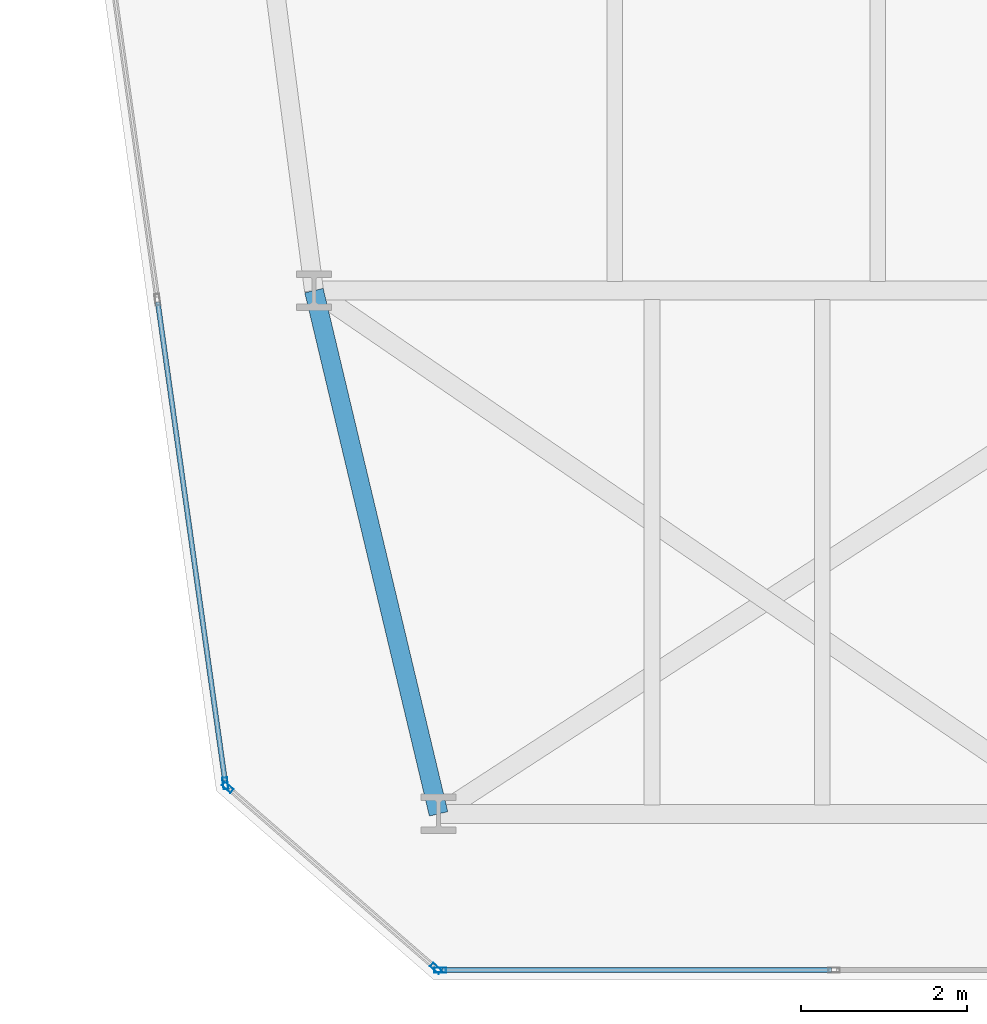
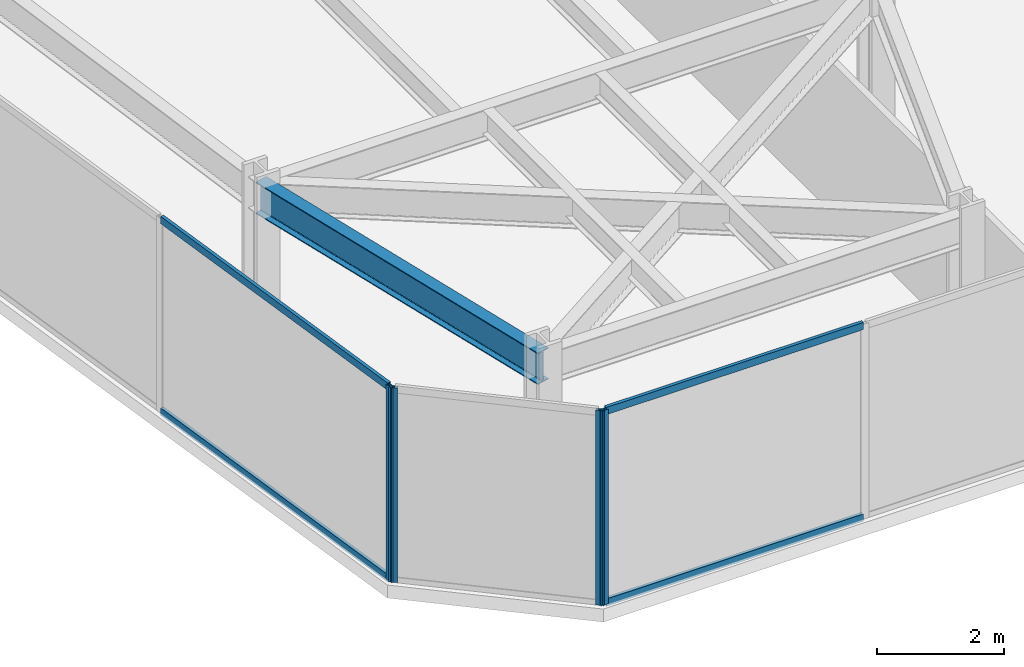
# One storey, part 2 of 26: 8 members, 1 beam, 3 elements without a shape of their own.
"""IFC4 building model written with IfcOpenShell, lengths in metres."""

import ifcopenshell
import ifcopenshell.guid

model = None  # the IFC model being written
_history = None  # IfcOwnerHistory: only IFC2X3 demands one
_inside = {}  # id of a spatial element -> (the spatial element, [elements in it])
_under = {}  # id of a project, library or spatial element -> (it, [spatial elements below it])
_declared = {}  # id of a project -> (the project, [libraries it declares])
_typed = {}  # id of a type object -> (the type object, [elements of that type])
_made_of = {}  # id of a material, layer set ... -> (it, [elements and type objects made of it])


def new_model(schema):
    """Start an empty IFC model of exactly this schema.

    Asked for "IFC4X3", IfcOpenShell would pick the latest addendum, in which some entities
    have other attributes; the version numbers below select the first issue.
    IFC2X3 requires an IfcOwnerHistory on every rooted entity: one is made here for all.
    """
    global model, _history
    if schema == "IFC4X3":
        model = ifcopenshell.file(schema_version=(4, 3, 0, 0))
    else:
        model = ifcopenshell.file(schema=schema)
    _inside.clear()
    _under.clear()
    _declared.clear()
    _typed.clear()
    _made_of.clear()
    _history = None
    if model.schema == "IFC2X3":
        org = make("IfcOrganization", Name="unknown")
        user = make(
            "IfcPersonAndOrganization",
            ThePerson=make("IfcPerson", FamilyName="unknown"),
            TheOrganization=org,
        )
        app = make(
            "IfcApplication",
            ApplicationDeveloper=org,
            Version="unknown",
            ApplicationFullName="unknown",
            ApplicationIdentifier="unknown",
        )
        _history = make(
            "IfcOwnerHistory",
            OwningUser=user,
            OwningApplication=app,
            ChangeAction="ADDED",
            CreationDate=0,
        )
    return model


def make(cls, **values):
    """One entity of the class cls with the attributes given. An attribute that is None is left unset."""
    return model.create_entity(
        cls, **{name: value for name, value in values.items() if value is not None}
    )


def rooted(cls, **values):
    """An entity with a GlobalId (a new one), such as an element, a storey or a relation."""
    return make(cls, GlobalId=ifcopenshell.guid.new(), OwnerHistory=_history, **values)


def si_unit(unit_type, name, prefix=None):
    """IfcSIUnit, for example si_unit("LENGTHUNIT", "METRE", prefix="MILLI")."""
    return make("IfcSIUnit", UnitType=unit_type, Prefix=prefix, Name=name)


def assignment(units):
    """IfcUnitAssignment: the units of a project."""
    return None if units is None else make("IfcUnitAssignment", Units=units)


def point(xyz):
    """IfcCartesianPoint."""
    return None if xyz is None else make("IfcCartesianPoint", Coordinates=xyz)


def direction(xyz):
    """IfcDirection."""
    return None if xyz is None else make("IfcDirection", DirectionRatios=xyz)


def frame(location, z_axis=None, x_axis=None):
    """IfcAxis2Placement3D, a coordinate frame: its origin and axes. An axis left out is left unset."""
    return make(
        "IfcAxis2Placement3D",
        Location=point(location),
        Axis=direction(z_axis),
        RefDirection=direction(x_axis),
    )


def frame_2d(location, x_axis=None):
    """IfcAxis2Placement2D, a coordinate frame in the plane: its origin and x axis."""
    return make(
        "IfcAxis2Placement2D", Location=point(location), RefDirection=direction(x_axis)
    )


def origin():
    """The frame at (0, 0, 0) with its axes left unset."""
    return frame((0.0, 0.0, 0.0))


def origin_2d():
    """The frame at (0, 0) in the plane with its x axis left unset."""
    return frame_2d((0.0, 0.0))


def place(relative_to, where):
    """IfcLocalPlacement: puts the frame where relative to a parent placement (None: the world)."""
    return make(
        "IfcLocalPlacement", PlacementRelTo=relative_to, RelativePlacement=where
    )


def context(
    kind, dimensions, precision=None, world=None, true_north=None, identifier=None
):
    """IfcGeometricRepresentationContext, for example the 3D "Model" context."""
    return make(
        "IfcGeometricRepresentationContext",
        ContextIdentifier=identifier,
        ContextType=kind,
        CoordinateSpaceDimension=dimensions,
        Precision=precision,
        WorldCoordinateSystem=world,
        TrueNorth=true_north,
    )


def subcontext(parent, identifier, kind, view, scale=None):
    """IfcGeometricRepresentationSubContext, for example "Body" below "Model"."""
    return make(
        "IfcGeometricRepresentationSubContext",
        ContextIdentifier=identifier,
        ContextType=kind,
        ParentContext=parent,
        TargetScale=scale,
        TargetView=view,
    )


def project(units=None, contexts=None):
    """IfcProject with its units and contexts."""
    return rooted(
        "IfcProject",
        Name="project",
        RepresentationContexts=contexts,
        UnitsInContext=assignment(units),
    )


def spatial(cls, under=None, at=None, **own):
    """A site, building, storey or space (cls), placed at a placement, below another one or the project."""
    s = rooted(cls, ObjectPlacement=at, **own)
    if under is not None:
        _under.setdefault(under.id(), (under, []))[1].append(s)
    return s


def profile(cls, at=None, kind="AREA", **sizes):
    """A parametric profile (cls). Its sizes go by their IFC names, for example OverallWidth=200.0."""
    return make(cls, ProfileType=kind, Position=at, **sizes)


def hollow_rectangle(**sizes):
    """IfcRectangleHollowProfileDef."""
    return profile("IfcRectangleHollowProfileDef", **sizes)


def i_section(**sizes):
    """IfcIShapeProfileDef."""
    return profile("IfcIShapeProfileDef", **sizes)


def extrude(swept, where, along, depth):
    """IfcExtrudedAreaSolid: the profile swept, set in the frame where, extruded along a direction by depth."""
    return make(
        "IfcExtrudedAreaSolid",
        SweptArea=swept,
        Position=where,
        ExtrudedDirection=direction(along),
        Depth=depth,
    )


def shape(context_of_items, identifier, shape_type, items):
    """IfcShapeRepresentation: the items that make up one representation, for example the "Body"."""
    return make(
        "IfcShapeRepresentation",
        ContextOfItems=context_of_items,
        RepresentationIdentifier=identifier,
        RepresentationType=shape_type,
        Items=items,
    )


def material(Name=None, Category=None):
    """IfcMaterial."""
    return make("IfcMaterial", Name=Name, Category=Category)


def layer(
    of_material, thickness, ventilated=None, Name=None, Category=None, Priority=None
):
    """IfcMaterialLayer: one layer of a wall or slab, of a material (None: an air gap)."""
    return make(
        "IfcMaterialLayer",
        Material=of_material,
        LayerThickness=thickness,
        IsVentilated=ventilated,
        Name=Name,
        Category=Category,
        Priority=Priority,
    )


def layer_set(layers, Name=None):
    """IfcMaterialLayerSet."""
    return make("IfcMaterialLayerSet", MaterialLayers=layers, LayerSetName=Name)


def material_profile(
    of_material, cross_section, Name=None, Category=None, Priority=None
):
    """IfcMaterialProfile: a cross section and its material."""
    return make(
        "IfcMaterialProfile",
        Name=Name,
        Material=of_material,
        Profile=cross_section,
        Priority=Priority,
        Category=Category,
    )


def profile_set(profiles, Name=None, composite=None):
    """IfcMaterialProfileSet."""
    return make(
        "IfcMaterialProfileSet",
        Name=Name,
        MaterialProfiles=profiles,
        CompositeProfile=composite,
    )


def made_of(thing, what):
    """Note that an element or type object is made of a material, layer set ...; save() writes the relation."""
    if what is not None:
        _made_of.setdefault(what.id(), (what, []))[1].append(thing)
    return thing


def type_object(cls, material=None, **own):
    """A type object (cls), such as IfcWallType, which elements share."""
    return made_of(rooted(cls, **own), material)


def element(
    cls,
    number,
    at=None,
    inside=None,
    cuts=None,
    type_object=None,
    material=None,
    context=None,
    identifier="Body",
    shape_type=None,
    held_by="IfcProductDefinitionShape",
    body=None,
    shapes=None,
    **own,
):
    """One element of the class cls, such as IfcWall. Its Tag is "e" and its number.

    at: its placement. inside: the storey or other place that contains it. cuts: it is an
    opening in that element (IfcRelVoidsElement). A single representation is given by context,
    identifier, shape_type and body (its items); several are given by shapes. held_by: the class
    of the entity that holds the representations. save() writes the other relations.
    """
    e = rooted(cls, Tag="e%d" % number, ObjectPlacement=at, **own)
    if body is not None:
        shapes = [shape(context, identifier, shape_type, body)]
    if shapes is not None:
        e.Representation = make(held_by, Representations=shapes)
    if inside is not None:
        _inside.setdefault(inside.id(), (inside, []))[1].append(e)
    if cuts is not None:
        rooted(
            "IfcRelVoidsElement", RelatingBuildingElement=cuts, RelatedOpeningElement=e
        )
    if type_object is not None:
        _typed.setdefault(type_object.id(), (type_object, []))[1].append(e)
    return made_of(e, material)


def aggregate(whole, parts):
    """IfcRelAggregates: a whole, such as a stair, and the parts it consists of."""
    return rooted("IfcRelAggregates", RelatingObject=whole, RelatedObjects=parts)


def save(model, path):
    """Write the relations noted so far, then the file.

    IfcRelAggregates (storeys below a building ...), IfcRelContainedInSpatialStructure (elements
    in a storey), IfcRelDefinesByType, IfcRelAssociatesMaterial and IfcRelDeclares: one each for
    every whole, place, type object, material and project.
    """
    for whole, parts in _under.values():
        aggregate(whole, parts)
    for where, things in _inside.values():
        rooted(
            "IfcRelContainedInSpatialStructure",
            RelatedElements=things,
            RelatingStructure=where,
        )
    for kind, things in _typed.values():
        rooted("IfcRelDefinesByType", RelatedObjects=things, RelatingType=kind)
    for what, things in _made_of.values():
        rooted("IfcRelAssociatesMaterial", RelatedObjects=things, RelatingMaterial=what)
    for by, libraries in _declared.values():
        rooted("IfcRelDeclares", RelatingContext=by, RelatedDefinitions=libraries)
    model.write(path)


model = new_model("IFC4")

# Units and contexts
model_context = context("Model", 3, precision=1e-05, world=origin(), true_north=direction((0.0, 1.0)))
body_context = subcontext(model_context, "Body", "Model", "MODEL_VIEW")
ifc_project = project(units=[si_unit("LENGTHUNIT", "METRE"), si_unit("AREAUNIT", "SQUARE_METRE"), si_unit("VOLUMEUNIT", "CUBIC_METRE"), si_unit("PLANEANGLEUNIT", "RADIAN"), si_unit("MASSUNIT", "GRAM", prefix="KILO")], contexts=[model_context])

# Site, building, storey
site_placement = place(None, origin())
site = spatial("IfcSite", under=ifc_project, at=site_placement, CompositionType="ELEMENT")
building_placement = place(site_placement, origin())
building = spatial("IfcBuilding", under=site, at=building_placement, Name="Kravanh Interchange Tower", CompositionType="ELEMENT")
storey_placement = place(building_placement, frame((0.0, 0.0, 120.0)))
storey = spatial("IfcBuildingStorey", under=building, at=storey_placement, Name="L28", CompositionType="ELEMENT", Elevation=120.0)

# Curtain wall, member
ifc_material_1 = material(Name="Anodised Bronze Aluminium", Category="aluminium")
ifc_layer = layer(ifc_material_1, 0.179931640625)
ifc_layer_set = layer_set([ifc_layer], Name="Unitised Curtain Wall System CW-Z2 Mid Office")
curtain_wall_type = type_object("IfcCurtainWallType", Name="Unitised Curtain Wall System CW-Z2 Mid Office", PredefinedType="NOTDEFINED", material=ifc_layer_set)
curtain_wall_1_placement = place(storey_placement, origin())
curtain_wall_1 = element("IfcCurtainWall", 1, at=curtain_wall_1_placement, inside=storey, type_object=curtain_wall_type, Name="L28 Unitised Curtain Wall CW-L28-01", PredefinedType="NOTDEFINED")
ifc_material_2 = material(Name="Anodised Bronze Aluminium", Category="aluminium")
ifc_material_profile_1 = material_profile(ifc_material_2, hollow_rectangle(XDim=0.06005859375, YDim=0.139892578125, WallThickness=0.00390625, at=origin_2d()), Name="ALU60X140X4")
ifc_profile_set_1 = profile_set([ifc_material_profile_1], Name="Anodised Bronze Aluminium")
member_type_1 = type_object("IfcMemberType", Name="Curtain Wall Mullion ALU60X140X4 Bronze", PredefinedType="MULLION", material=ifc_profile_set_1)
member_1_placement = place(storey_placement, frame((14.93310546875, 8.568359375, 0.0), z_axis=(0.0, 0.0, 1.0), x_axis=(-0.990268103846, -0.13917285118, 0.0)))
member_1 = element("IfcMember", 2, at=member_1_placement, type_object=member_type_1, Name="CW-Z2 mullion 1", PredefinedType="MULLION", context=body_context, shape_type="SweptSolid", body=[
    extrude(hollow_rectangle(XDim=0.06005859375, YDim=0.139892578125, WallThickness=0.00390625, at=origin_2d()), origin(), (0.0, 0.0, 1.0), 3.75),
])

curtain_wall_2_placement = place(storey_placement, origin())
curtain_wall_2 = element("IfcCurtainWall", 3, at=curtain_wall_2_placement, inside=storey, type_object=curtain_wall_type, Name="L28 Unitised Curtain Wall CW-L28-06", PredefinedType="NOTDEFINED")
member_2_placement = place(storey_placement, frame((17.519775390625, 6.320068359375, 0.0), z_axis=(0.0, 0.0, 1.0), x_axis=(0.0, -1.0, 0.0)))
member_2 = element("IfcMember", 4, at=member_2_placement, type_object=member_type_1, Name="CW-Z2 mullion 3", PredefinedType="MULLION", context=body_context, shape_type="SweptSolid", body=[
    extrude(hollow_rectangle(XDim=0.06005859375, YDim=0.139892578125, WallThickness=0.00390625, at=origin_2d()), origin(), (0.0, 0.0, 1.0), 3.75),
])

# Curtain wall, members
curtain_wall_3_placement = place(storey_placement, origin())
curtain_wall_3 = element("IfcCurtainWall", 5, at=curtain_wall_3_placement, inside=storey, type_object=curtain_wall_type, Name="L28 Unitised Curtain Wall CW-L28-07", PredefinedType="NOTDEFINED")
member_3_placement = place(storey_placement, frame((17.467041015625, 6.339599609375, 0.0), z_axis=(0.0, 0.0, 1.0), x_axis=(-0.656047665617, -0.754719458103, 0.0)))
member_3 = element("IfcMember", 6, at=member_3_placement, type_object=member_type_1, Name="CW-Z2 mullion 1", PredefinedType="MULLION", context=body_context, shape_type="SweptSolid", body=[
    extrude(hollow_rectangle(XDim=0.06005859375, YDim=0.139892578125, WallThickness=0.00390625, at=origin_2d()), origin(), (0.0, 0.0, 1.0), 3.75),
])
member_4_placement = place(storey_placement, frame((14.9599609375, 8.51904296875, 0.0), z_axis=(0.0, 0.0, 1.0), x_axis=(-0.656047665617, -0.754719458103, 0.0)))
member_4 = element("IfcMember", 7, at=member_4_placement, type_object=member_type_1, Name="CW-Z2 mullion 2", PredefinedType="MULLION", context=body_context, shape_type="SweptSolid", body=[
    extrude(hollow_rectangle(XDim=0.06005859375, YDim=0.139892578125, WallThickness=0.00390625, at=origin_2d()), origin(), (0.0, 0.0, 1.0), 3.75),
])
aggregate(curtain_wall_3, [member_3, member_4])

# Member
ifc_material_3 = material(Name="Anodised Bronze Aluminium", Category="aluminium")
ifc_material_profile_2 = material_profile(ifc_material_3, hollow_rectangle(XDim=0.06005859375, YDim=0.139892578125, WallThickness=0.00390625, at=origin_2d()), Name="ALU60X140X4")
ifc_profile_set_2 = profile_set([ifc_material_profile_2], Name="Anodised Bronze Aluminium")
member_type_2 = type_object("IfcMemberType", Name="Curtain Wall Transom ALU60X140X4 Bronze", PredefinedType="USERDEFINED", material=ifc_profile_set_2)
member_5_placement = place(storey_placement, frame((14.928955078125, 8.59814453125, 0.030029296875), z_axis=(-0.139148132783, 0.990271577469, 0.0), x_axis=(-0.990271577469, -0.139148132783, 0.0)))
member_5 = element("IfcMember", 8, at=member_5_placement, type_object=member_type_2, Name="CW-Z2 transom 1.1", ObjectType="TRANSOM", PredefinedType="USERDEFINED", context=body_context, shape_type="SweptSolid", body=[
    extrude(hollow_rectangle(XDim=0.06005859375, YDim=0.139892578125, WallThickness=0.00390625, at=origin_2d()), origin(), (0.0, 0.0, 1.0), 5.81982421875),
])

member_6_placement = place(storey_placement, frame((14.928955078125, 8.59814453125, 3.719970703125), z_axis=(-0.139148132783, 0.990271577469, 0.0), x_axis=(-0.990271577469, -0.139148132783, 0.0)))
member_6 = element("IfcMember", 9, at=member_6_placement, type_object=member_type_2, Name="CW-Z2 transom 1.2", ObjectType="TRANSOM", PredefinedType="USERDEFINED", context=body_context, shape_type="SweptSolid", body=[
    extrude(hollow_rectangle(XDim=0.06005859375, YDim=0.139892578125, WallThickness=0.00390625, at=origin_2d()), origin(), (0.0, 0.0, 1.0), 5.81982421875),
])

aggregate(curtain_wall_1, [member_1, member_5, member_6])

member_7_placement = place(storey_placement, frame((22.232177734375, 6.320068359375, 0.030029296875), z_axis=(-1.0, 0.0, 0.0), x_axis=(0.0, -1.0, 0.0)))
member_7 = element("IfcMember", 10, at=member_7_placement, type_object=member_type_2, Name="CW-Z2 transom 2.1", ObjectType="TRANSOM", PredefinedType="USERDEFINED", context=body_context, shape_type="SweptSolid", body=[
    extrude(hollow_rectangle(XDim=0.06005859375, YDim=0.139892578125, WallThickness=0.00390625, at=origin_2d()), origin(), (0.0, 0.0, 1.0), 4.682373046875),
])

member_8_placement = place(storey_placement, frame((22.232177734375, 6.320068359375, 3.719970703125), z_axis=(-1.0, 0.0, 0.0), x_axis=(0.0, -1.0, 0.0)))
member_8 = element("IfcMember", 11, at=member_8_placement, type_object=member_type_2, Name="CW-Z2 transom 2.2", ObjectType="TRANSOM", PredefinedType="USERDEFINED", context=body_context, shape_type="SweptSolid", body=[
    extrude(hollow_rectangle(XDim=0.06005859375, YDim=0.139892578125, WallThickness=0.00390625, at=origin_2d()), origin(), (0.0, 0.0, 1.0), 4.682373046875),
])

aggregate(curtain_wall_2, [member_2, member_7, member_8])

# Beam
ifc_material_4 = material(Name="Structural Steel S355", Category="steel")
ifc_material_profile_3 = material_profile(ifc_material_4, i_section(OverallWidth=0.22802734375, OverallDepth=0.60791015625, WebThickness=0.01123046875, FlangeThickness=0.017333984375, FilletRadius=0.02197265625, at=origin_2d()), Name="W24X76")
ifc_profile_set_3 = profile_set([ifc_material_profile_3], Name="Structural Steel S355")
beam_type = type_object("IfcBeamType", Name="Floor Spandrel W24X76 Structural Steel S355", PredefinedType="SPANDREL", material=ifc_profile_set_3)
beam_placement = place(storey_placement, frame((17.5, 8.199951171875, 3.446044921875), z_axis=(-0.231618828452, 0.972806619173, 0.0), x_axis=(-0.972806619173, -0.231618828452, 0.0)))
element("IfcBeam", 12, at=beam_placement, inside=storey, type_object=beam_type, Name="L28 Perimeter Spandrel 34", PredefinedType="SPANDREL", context=body_context, shape_type="SweptSolid", body=[
    extrude(i_section(OverallWidth=0.22802734375, OverallDepth=0.60791015625, WebThickness=0.01123046875, FlangeThickness=0.017333984375, FilletRadius=0.02197265625, at=origin_2d()), origin(), (0.0, 0.0, 1.0), 6.47607421875),
])

save(model, "model.ifc")
